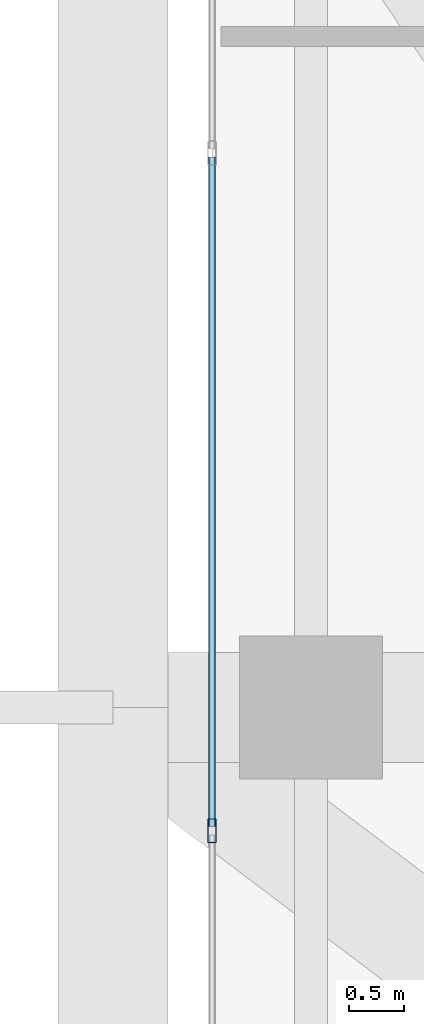
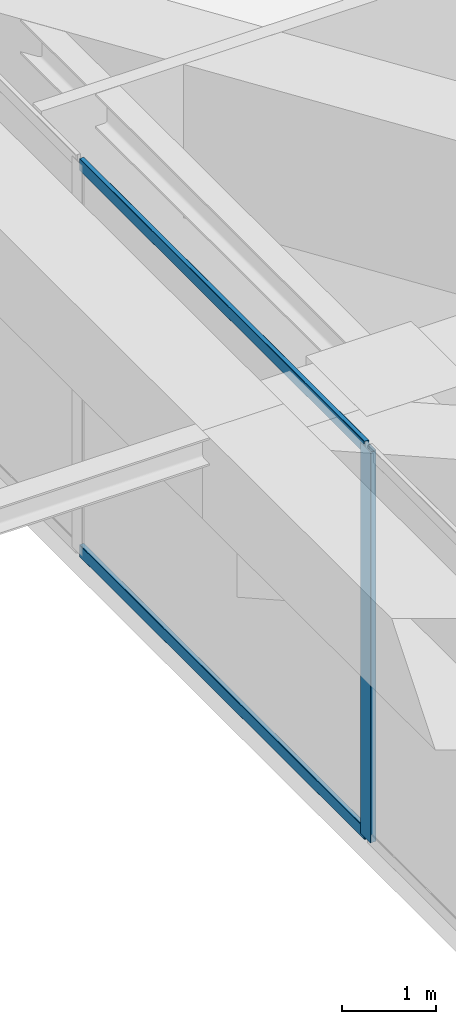
# One storey, part 9 of 38: 3 members, 1 element without a shape of its own.
"""IFC4 building model written with IfcOpenShell, lengths in metres."""

from ifc_helpers import new_model, si_unit, direction, frame, origin, origin_2d, place, context, subcontext, project, spatial, hollow_rectangle, extrude, source, transform, mapped, material, layer, layer_set, material_profile, profile_set, type_object, element, aggregate, save


model = new_model("IFC4")

# Units and contexts
model_context = context("Model", 3, precision=1e-05, world=origin(), true_north=direction((0.0, 1.0)))
body_context = subcontext(model_context, "Body", "Model", "MODEL_VIEW")
ifc_project = project(units=[si_unit("LENGTHUNIT", "METRE"), si_unit("AREAUNIT", "SQUARE_METRE"), si_unit("VOLUMEUNIT", "CUBIC_METRE"), si_unit("PLANEANGLEUNIT", "RADIAN"), si_unit("MASSUNIT", "GRAM", prefix="KILO")], contexts=[model_context])

# Site, building, storey
site_placement = place(None, origin())
site = spatial("IfcSite", under=ifc_project, at=site_placement, CompositionType="ELEMENT")
building_placement = place(site_placement, origin())
building = spatial("IfcBuilding", under=site, at=building_placement, Name="Serunith Strait Residences", CompositionType="ELEMENT")
storey_placement = place(building_placement, frame((0.0, 0.0, 204.89990234375)))
storey = spatial("IfcBuildingStorey", under=building, at=storey_placement, Name="L51", CompositionType="ELEMENT", Elevation=204.89990234375)

# Curtain wall, members
ifc_material = material(Name="Pale-Silver PVDF Aluminium", Category="aluminium")
ifc_layer = layer(ifc_material, 0.199951171875, Name="Pale-Silver PVDF Aluminium")
ifc_layer_set = layer_set([ifc_layer], Name="Pale-Silver PVDF Aluminium")
curtain_wall_type = type_object("IfcCurtainWallType", Name="CW-SYS3", PredefinedType="NOTDEFINED", material=ifc_layer_set)
curtain_wall_placement = place(storey_placement, origin())
curtain_wall = element("IfcCurtainWall", 1, at=curtain_wall_placement, inside=storey, type_object=curtain_wall_type, Name="L51 W Unitised Fritted Curtain Wall", PredefinedType="NOTDEFINED")
ifc_material_profile_1 = material_profile(ifc_material, hollow_rectangle(XDim=0.074951171875, YDim=0.219970703125, WallThickness=0.00390625, InnerFilletRadius=0.006103515625, OuterFilletRadius=0.010009765625, at=origin_2d()), Name="ALU 220x75x4")
ifc_profile_set_1 = profile_set([ifc_material_profile_1], Name="Pale-Silver PVDF Aluminium")
member_type_1 = type_object("IfcMemberType", Name="CW-SYS3-MULL", PredefinedType="MULLION", material=ifc_profile_set_1)
shared_shape_1 = source(origin(), body_context, "Body", "SweptSolid", [
    extrude(hollow_rectangle(XDim=0.074951171875, YDim=0.219970703125, WallThickness=0.00390625, InnerFilletRadius=0.006103515625, OuterFilletRadius=0.010009765625, at=origin_2d()), origin(), (0.0, 0.0, 1.0), 5.09521484375),
])
member_1_placement = place(storey_placement, frame((9.199951171875, 28.280029296875, 0.0), z_axis=(0.0, 0.0, 1.0), x_axis=(1.0, 0.0, 0.0)))
member_1 = element("IfcMember", 2, at=member_1_placement, type_object=member_type_1, Name="CW-3 mullion 3", PredefinedType="MULLION", context=body_context, shape_type="MappedRepresentation", body=[
    mapped(shared_shape_1, transform((0.0, 0.0, 0.0), scale=1.0)),
])
ifc_material_profile_2 = material_profile(ifc_material, hollow_rectangle(XDim=0.06005859375, YDim=0.159912109375, WallThickness=0.00341796875, InnerFilletRadius=0.00537109375, OuterFilletRadius=0.0087890625, at=origin_2d()), Name="ALU 160x60x3.5")
ifc_profile_set_2 = profile_set([ifc_material_profile_2], Name="Pale-Silver PVDF Aluminium")
member_type_2 = type_object("IfcMemberType", Name="CW-SYS3-TRAN", PredefinedType="USERDEFINED", material=ifc_profile_set_2)
shared_shape_2 = source(origin(), body_context, "Body", "SweptSolid", [
    extrude(hollow_rectangle(XDim=0.06005859375, YDim=0.159912109375, WallThickness=0.00341796875, InnerFilletRadius=0.00537109375, OuterFilletRadius=0.0087890625, at=origin_2d()), origin(), (0.0, 0.0, 1.0), 6.085205078125),
])
member_2_placement = place(storey_placement, frame((9.199951171875, 34.402587890625, 0.030029296875), z_axis=(0.0, -1.0, 0.0), x_axis=(1.0, 0.0, 0.0)))
member_2 = element("IfcMember", 3, at=member_2_placement, type_object=member_type_2, Name="CW-3 transom 2.1", ObjectType="TRANSOM", PredefinedType="USERDEFINED", context=body_context, shape_type="MappedRepresentation", body=[
    mapped(shared_shape_2, transform((0.0, 0.0, 0.0), scale=1.0)),
])
member_3_placement = place(storey_placement, frame((9.199951171875, 34.402587890625, 5.065185546875), z_axis=(0.0, -1.0, 0.0), x_axis=(1.0, 0.0, 0.0)))
member_3 = element("IfcMember", 4, at=member_3_placement, type_object=member_type_2, Name="CW-3 transom 2.2", ObjectType="TRANSOM", PredefinedType="USERDEFINED", context=body_context, shape_type="MappedRepresentation", body=[
    mapped(shared_shape_2, transform((0.0, 0.0, 0.0), scale=1.0)),
])
aggregate(curtain_wall, [member_1, member_2, member_3])

save(model, "model.ifc")
